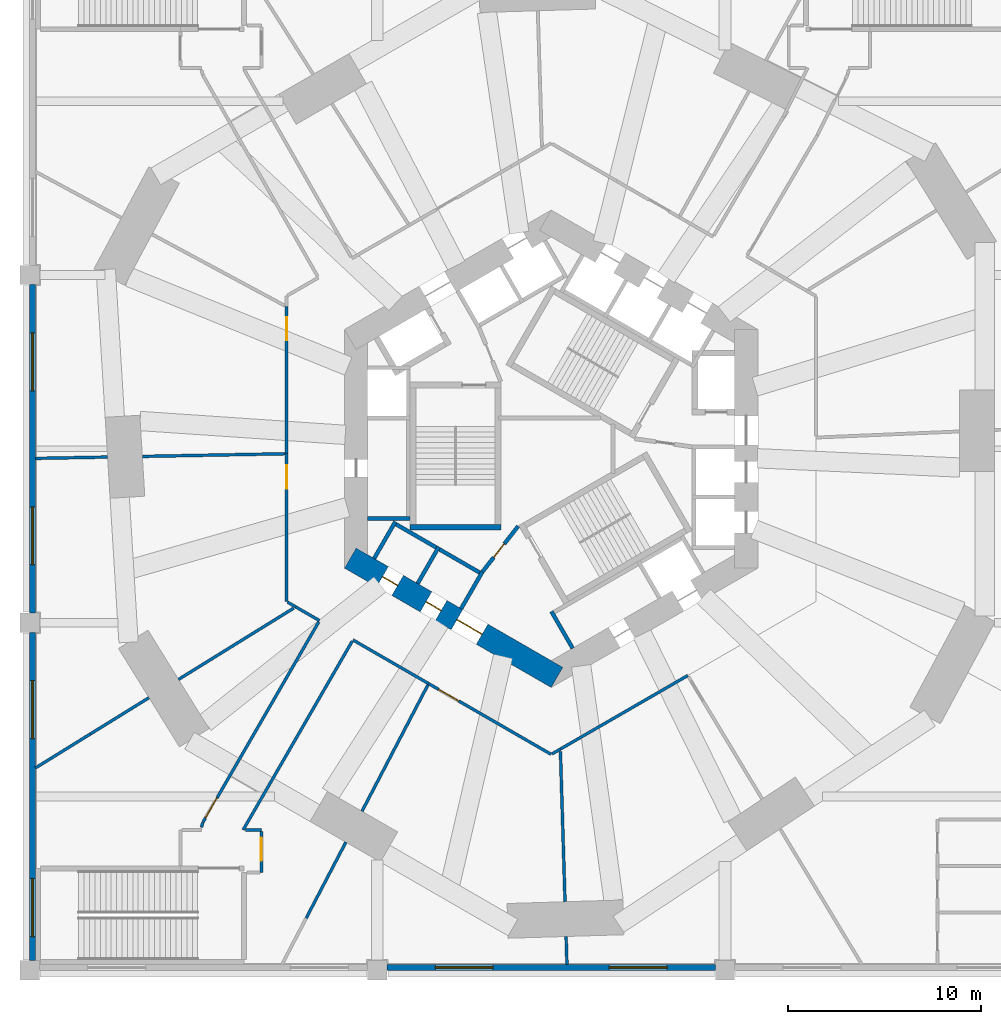
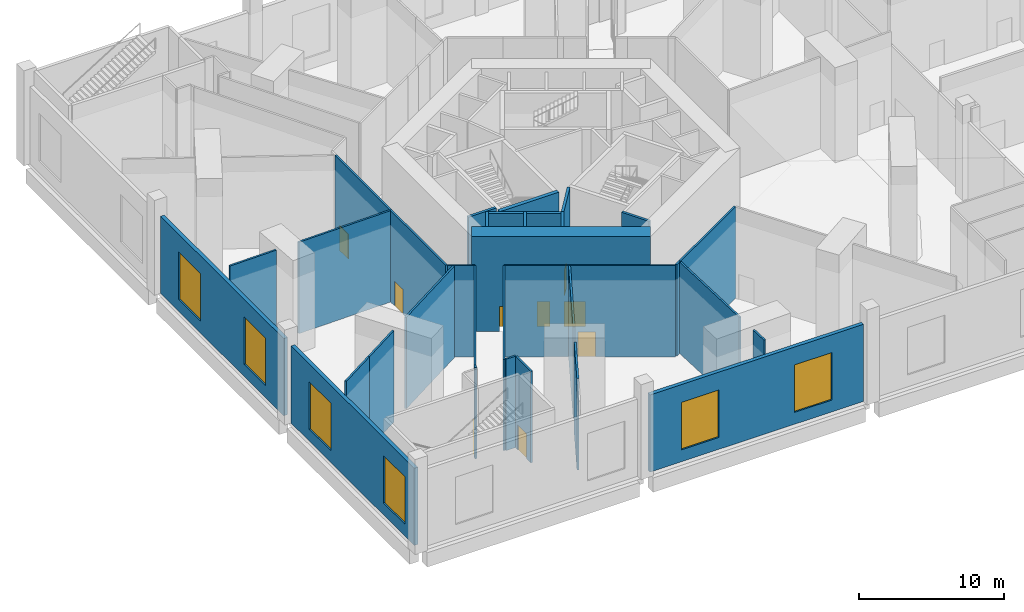
# One storey, part 6 of 15: 34 walls, 9 doors, 6 windows, 15 openings.
"""IFC4 building model written with IfcOpenShell, lengths in metres."""

from ifc_helpers import new_model, si_unit, direction, frame, frame_2d, origin, place, context, subcontext, project, spatial, rectangle, extrude, material, layer, layer_set, type_object, element, fill, save


model = new_model("IFC4")

# Units and contexts
model_context = context("Model", 3, precision=1e-05, world=origin(), true_north=direction((0.0, 1.0)))
body_context = subcontext(model_context, "Body", "Model", "MODEL_VIEW")
ifc_project = project(units=[si_unit("LENGTHUNIT", "METRE"), si_unit("AREAUNIT", "SQUARE_METRE"), si_unit("VOLUMEUNIT", "CUBIC_METRE"), si_unit("PLANEANGLEUNIT", "RADIAN"), si_unit("MASSUNIT", "GRAM", prefix="KILO")], contexts=[model_context])

# Site, building, storey
site_placement = place(None, origin())
site = spatial("IfcSite", under=ifc_project, at=site_placement, CompositionType="ELEMENT")
building_placement = place(site_placement, origin())
building = spatial("IfcBuilding", under=site, at=building_placement, Name="Vanh Sen Convention Tower", CompositionType="ELEMENT")
storey_placement = place(building_placement, frame((0.0, 0.0, 13.0)))
storey = spatial("IfcBuildingStorey", under=building, at=storey_placement, Name="L02", CompositionType="ELEMENT", Elevation=13.0)

# Wall, openings, doors
ifc_material_1 = material(Name="Concrete C80/95", Category="concrete")
ifc_layer_1 = layer(ifc_material_1, 1.199951171875)
ifc_layer_set_1 = layer_set([ifc_layer_1], Name="Concrete C80/95")
wall_type_1 = type_object("IfcWallType", Name="Core outer wall 1200 C80/95", PredefinedType="SHEAR", material=ifc_layer_set_1)
wall_1_placement = place(storey_placement, frame((-10.39990234375, -5.657958984375, 0.0), z_axis=(0.0, 0.0, 1.0), x_axis=(0.866021384402, -0.500006961711, 0.0)))
wall_1 = element("IfcWall", 1, at=wall_1_placement, inside=storey, type_object=wall_type_1, Name="Core wall face SW L02", PredefinedType="SHEAR", context=body_context, shape_type="SweptSolid", body=[
    extrude(rectangle(XDim=12.355224609375, YDim=1.199951171875, at=frame_2d((6.177734375, 0.0))), origin(), (0.0, 0.0, 1.0), 8.0),
])
opening_1_placement = place(wall_1_placement, frame((6.377685546875, 0.0, 0.0)))
opening_1 = element("IfcOpeningElement", 2, at=opening_1_placement, cuts=wall_1, Name="Opening D02003", PredefinedType="OPENING", context=body_context, shape_type="SweptSolid", body=[
    extrude(rectangle(XDim=1.5, YDim=2.10009765625, at=frame_2d((0.75, 1.050048828125))), frame((0.0, 0.60986328125, 0.0), z_axis=(0.0, -1.0, 0.0), x_axis=(1.0, 0.0, 0.0)), (0.0, 0.0, 1.0), 1.219970703125),
])
opening_2_placement = place(wall_1_placement, frame((1.927734375, 0.0, 0.0)))
opening_2 = element("IfcOpeningElement", 3, at=opening_2_placement, cuts=wall_1, Name="Opening D02011", PredefinedType="OPENING", context=body_context, shape_type="SweptSolid", body=[
    extrude(rectangle(XDim=0.89990234375, YDim=2.10009765625, at=frame_2d((0.449951171875, 1.050048828125))), frame((0.0, 0.60986328125, 0.0), z_axis=(0.0, -1.0, 0.0), x_axis=(1.0, 0.0, 0.0)), (0.0, 0.0, 1.0), 1.219970703125),
])
opening_3_placement = place(wall_1_placement, frame((4.527587890625, 0.0, 0.0)))
opening_3 = element("IfcOpeningElement", 4, at=opening_3_placement, cuts=wall_1, Name="Opening D02012", PredefinedType="OPENING", context=body_context, shape_type="SweptSolid", body=[
    extrude(rectangle(XDim=0.89990234375, YDim=2.10009765625, at=frame_2d((0.449951171875, 1.050048828125))), frame((0.0, 0.60986328125, 0.0), z_axis=(0.0, -1.0, 0.0), x_axis=(1.0, 0.0, 0.0)), (0.0, 0.0, 1.0), 1.219970703125),
])
ifc_material_2 = material(Name="Steel S355", Category="steel")
door_type_1 = type_object("IfcDoorType", Name="Plant door 900", OperationType="SINGLE_SWING_LEFT", PredefinedType="DOOR", material=ifc_material_2)
door_1_placement = place(opening_2_placement, origin())
door_1 = element("IfcDoor", 5, at=door_1_placement, inside=storey, type_object=door_type_1, Name="Plant door D02011", OperationType="SINGLE_SWING_LEFT", OverallHeight=2.10009765625, OverallWidth=0.89990234375, PredefinedType="DOOR", context=body_context, shape_type="SweptSolid", body=[
    extrude(rectangle(XDim=0.89990234375, YDim=2.10009765625, at=frame_2d((0.449951171875, 1.050048828125))), frame((0.0, 0.02490234375, 0.0), z_axis=(0.0, -1.0, 0.0), x_axis=(1.0, 0.0, 0.0)), (0.0, 0.0, 1.0), 0.050048828125),
])
fill(opening_2, door_1)
door_2_placement = place(opening_3_placement, origin())
door_2 = element("IfcDoor", 6, at=door_2_placement, inside=storey, type_object=door_type_1, Name="Plant door D02012", OperationType="SINGLE_SWING_LEFT", OverallHeight=2.10009765625, OverallWidth=0.89990234375, PredefinedType="DOOR", context=body_context, shape_type="SweptSolid", body=[
    extrude(rectangle(XDim=0.89990234375, YDim=2.10009765625, at=frame_2d((0.449951171875, 1.050048828125))), frame((0.0, 0.02490234375, 0.0), z_axis=(0.0, -1.0, 0.0), x_axis=(1.0, 0.0, 0.0)), (0.0, 0.0, 1.0), 0.050048828125),
])
fill(opening_3, door_2)
door_type_2 = type_object("IfcDoorType", Name="Stair lobby door 1500", OperationType="DOUBLE_DOOR_SINGLE_SWING", PredefinedType="DOOR", material=ifc_material_2)
door_3_placement = place(opening_1_placement, origin())
door_3 = element("IfcDoor", 7, at=door_3_placement, inside=storey, type_object=door_type_2, Name="Stair lobby door D02003", OperationType="DOUBLE_DOOR_SINGLE_SWING", OverallHeight=2.10009765625, OverallWidth=1.5, PredefinedType="DOOR", context=body_context, shape_type="SweptSolid", body=[
    extrude(rectangle(XDim=1.5, YDim=2.10009765625, at=frame_2d((0.75, 1.050048828125))), frame((0.0, 0.02490234375, 0.0), z_axis=(0.0, -1.0, 0.0), x_axis=(1.0, 0.0, 0.0)), (0.0, 0.0, 1.0), 0.050048828125),
])
fill(opening_1, door_3)

# Walls
ifc_material_3 = material(Name="Concrete C40/50", Category="concrete")
ifc_layer_2 = layer(ifc_material_3, 0.199951171875)
ifc_layer_set_2 = layer_set([ifc_layer_2], Name="Concrete C40/50")
wall_type_2 = type_object("IfcWallType", Name="Lift shaft wall 200", PredefinedType="PARTITIONING", material=ifc_layer_set_2)
wall_2_placement = place(storey_placement, frame((-7.300048828125, -3.60009765625, 0.0), z_axis=(0.0, 0.0, 1.0), x_axis=(-1.0, 0.0, 0.0)))
element("IfcWall", 8, at=wall_2_placement, inside=storey, type_object=wall_type_2, Name="Lift shaft wall L02", PredefinedType="PARTITIONING", context=body_context, shape_type="SweptSolid", body=[
    extrude(rectangle(XDim=2.199951171875, YDim=0.199951171875, at=frame_2d((1.10009765625, 0.0))), origin(), (0.0, 0.0, 1.0), 7.699951171875),
])
wall_3_placement = place(storey_placement, frame((-8.203369140625, -3.80859375, 0.0), z_axis=(0.0, 0.0, 1.0), x_axis=(0.866028230842, -0.499995103361, 0.0)))
element("IfcWall", 9, at=wall_3_placement, inside=storey, type_object=wall_type_2, Name="Lift shaft wall L02", PredefinedType="PARTITIONING", context=body_context, shape_type="SweptSolid", body=[
    extrude(rectangle(XDim=5.39990234375, YDim=0.199951171875, at=frame_2d((2.699951171875, 0.0))), origin(), (0.0, 0.0, 1.0), 7.699951171875),
])
for number, where, z_axis, x_axis, name in (
    (10, (-8.066650390625, -3.77197265625, 0.0), (0.0, 0.0, 1.0), (-0.50002983664, -0.866008176907, 0.0), "Lift shaft wall L02"),
    (11, (-5.815185546875, -5.072021484375, 0.0), (0.0, 0.0, 1.0), (-0.499946605688, -0.86605622881, 0.0), "Lift shaft wall L02"),
):
    element("IfcWall", number, at=place(storey_placement, frame(where, z_axis=z_axis, x_axis=x_axis)), inside=storey, type_object=wall_type_2, Name=name, PredefinedType="PARTITIONING", context=body_context, shape_type="SweptSolid", body=[
        extrude(rectangle(XDim=2.199951171875, YDim=0.199951171875, at=frame_2d((1.10009765625, 0.0))), origin(), (0.0, 0.0, 1.0), 7.699951171875),
    ])
wall_4_placement = place(storey_placement, frame((-3.5634765625, -6.3720703125, 0.0), z_axis=(0.0, 0.0, 1.0), x_axis=(-0.499994660107, -0.866028486751, 0.0)))
element("IfcWall", 12, at=wall_4_placement, inside=storey, type_object=wall_type_2, Name="Lift shaft wall L02", PredefinedType="PARTITIONING", context=body_context, shape_type="SweptSolid", body=[
    extrude(rectangle(XDim=2.19970703125, YDim=0.199951171875, at=frame_2d((1.099853515625, 0.0))), origin(), (0.0, 0.0, 1.0), 7.699951171875),
])
wall_5_placement = place(storey_placement, frame((0.0126953125, -8.422119140625, 0.0), z_axis=(0.0, 0.0, 1.0), x_axis=(0.500077893725, -0.86598042715, 0.0)))
element("IfcWall", 13, at=wall_5_placement, inside=storey, type_object=wall_type_2, Name="Lift shaft wall L02", PredefinedType="PARTITIONING", context=body_context, shape_type="SweptSolid", body=[
    extrude(rectangle(XDim=2.199951171875, YDim=0.199951171875, at=frame_2d((1.10009765625, 0.0))), origin(), (0.0, 0.0, 1.0), 7.699951171875),
])
ifc_material_4 = material(Name="Acoustic operable panels on an overhead track", Category="gypsum")
ifc_layer_3 = layer(ifc_material_4, 0.14990234375)
ifc_layer_set_3 = layer_set([ifc_layer_3], Name="Acoustic operable panels on an overhead track")
wall_type_3 = type_object("IfcWallType", Name="Operable partition 150 EI 60", PredefinedType="MOVABLE", material=ifc_layer_set_3)
wall_6_placement = place(storey_placement, frame((0.478759765625, -15.6650390625, 0.0), z_axis=(0.0, 0.0, 1.0), x_axis=(0.030535907252, -0.999533670453, 0.0)))
element("IfcWall", 14, at=wall_6_placement, inside=storey, type_object=wall_type_3, Name="Operable partition L02-030", PredefinedType="MOVABLE", context=body_context, shape_type="SweptSolid", body=[
    extrude(rectangle(XDim=7.787353515625, YDim=0.14990234375, at=frame_2d((3.8935546875, 0.0))), origin(), (0.0, 0.0, 1.0), 7.699951171875),
])
ifc_material_5 = material(Name="Gypsum board on steel studs", Category="steel")
ifc_layer_4 = layer(ifc_material_5, 0.14990234375)
ifc_layer_set_4 = layer_set([ifc_layer_4], Name="Gypsum board on steel studs")
wall_type_4 = type_object("IfcWallType", Name="Partition 150 EI 60", PredefinedType="PARTITIONING", material=ifc_layer_set_4)
wall_7_placement = place(storey_placement, frame((0.771484375, -25.247802734375, 0.0), z_axis=(0.0, 0.0, 1.0), x_axis=(0.030584206332, -0.99953219374, 0.0)))
element("IfcWall", 15, at=wall_7_placement, inside=storey, type_object=wall_type_4, Name="Partition L02-004", PredefinedType="PARTITIONING", context=body_context, shape_type="SweptSolid", body=[
    extrude(rectangle(XDim=1.452880859375, YDim=0.14990234375, at=frame_2d((0.7265625, 0.0))), origin(), (0.0, 0.0, 1.0), 7.699951171875),
])
wall_8_placement = place(storey_placement, frame((-12.685546875, -24.300048828125, 0.0), z_axis=(0.0, 0.0, 1.0), x_axis=(0.462800821993, 0.88646229427, 0.0)))
element("IfcWall", 16, at=wall_8_placement, inside=storey, type_object=wall_type_4, Name="Partition L02-006", PredefinedType="PARTITIONING", context=body_context, shape_type="SweptSolid", body=[
    extrude(rectangle(XDim=4.441162109375, YDim=0.14990234375, at=frame_2d((2.220703125, 0.0))), origin(), (0.0, 0.0, 1.0), 7.699951171875),
])

# Wall, opening, door
wall_9_placement = place(storey_placement, frame((-15.0, -19.804931640625, 0.0), z_axis=(0.0, 0.0, 1.0), x_axis=(0.0, -1.0, 0.0)))
wall_9 = element("IfcWall", 17, at=wall_9_placement, inside=storey, type_object=wall_type_4, Name="Partition L02-019", PredefinedType="PARTITIONING", context=body_context, shape_type="SweptSolid", body=[
    extrude(rectangle(XDim=2.1201171875, YDim=0.14990234375, at=frame_2d((1.06005859375, 0.0))), origin(), (0.0, 0.0, 1.0), 7.699951171875),
])
opening_4_placement = place(wall_9_placement, frame((0.320068359375, 0.0, 0.0)))
opening_4 = element("IfcOpeningElement", 18, at=opening_4_placement, cuts=wall_9, Name="Opening D02106", PredefinedType="OPENING", context=body_context, shape_type="SweptSolid", body=[
    extrude(rectangle(XDim=1.199951171875, YDim=2.10009765625, at=frame_2d((0.60009765625, 1.050048828125))), frame((0.0, 0.0849609375, 0.0), z_axis=(0.0, -1.0, 0.0), x_axis=(1.0, 0.0, 0.0)), (0.0, 0.0, 1.0), 0.169921875),
])
ifc_material_6 = material(Name="Timber door in steel frame", Category="steel")
door_type_3 = type_object("IfcDoorType", Name="Room door 1200 EI 30", OperationType="SINGLE_SWING_LEFT", PredefinedType="DOOR", material=ifc_material_6)
door_4_placement = place(opening_4_placement, origin())
door_4 = element("IfcDoor", 19, at=door_4_placement, inside=storey, type_object=door_type_3, Name="Room door D02106", OperationType="SINGLE_SWING_LEFT", OverallHeight=2.10009765625, OverallWidth=1.199951171875, PredefinedType="DOOR", context=body_context, shape_type="SweptSolid", body=[
    extrude(rectangle(XDim=1.199951171875, YDim=2.10009765625, at=frame_2d((0.60009765625, 1.050048828125))), frame((0.0, 0.02490234375, 0.0), z_axis=(0.0, -1.0, 0.0), x_axis=(1.0, 0.0, 0.0)), (0.0, 0.0, 1.0), 0.050048828125),
])
fill(opening_4, door_4)

# Walls
wall_10_placement = place(storey_placement, frame((-15.824951171875, -19.72509765625, 0.0), z_axis=(0.0, 0.0, 1.0), x_axis=(1.0, 0.0, 0.0)))
element("IfcWall", 20, at=wall_10_placement, inside=storey, type_object=wall_type_4, Name="Partition L02-021", PredefinedType="PARTITIONING", context=body_context, shape_type="SweptSolid", body=[
    extrude(rectangle(XDim=0.824951171875, YDim=0.14990234375, at=frame_2d((0.41259765625, 0.0))), origin(), (0.0, 0.0, 1.0), 7.699951171875),
])
wall_11_placement = place(storey_placement, frame((-18.10009765625, -19.593017578125, 0.0), z_axis=(0.0, 0.0, 1.0), x_axis=(0.260139468531, 0.965571052234, 0.0)))
element("IfcWall", 21, at=wall_11_placement, inside=storey, type_object=wall_type_4, Name="Partition L02-023", PredefinedType="PARTITIONING", context=body_context, shape_type="SweptSolid", body=[
    extrude(rectangle(XDim=0.263671875, YDim=0.14990234375, at=frame_2d((0.1318359375, 0.0))), origin(), (0.0, 0.0, 1.0), 7.699951171875),
])

# Wall, opening, door
wall_12_placement = place(storey_placement, frame((-18.021484375, -19.3212890625, 0.0), z_axis=(0.0, 0.0, 1.0), x_axis=(0.500403049961, 0.865792577694, 0.0)))
wall_12 = element("IfcWall", 22, at=wall_12_placement, inside=storey, type_object=wall_type_4, Name="Partition L02-024", PredefinedType="PARTITIONING", context=body_context, shape_type="SweptSolid", body=[
    extrude(rectangle(XDim=11.96337890625, YDim=0.14990234375, at=frame_2d((5.981689453125, 0.0))), origin(), (0.0, 0.0, 1.0), 7.699951171875),
])
opening_5_placement = place(wall_12_placement, frame((0.25, 0.0, 0.0)))
opening_5 = element("IfcOpeningElement", 23, at=opening_5_placement, cuts=wall_12, Name="Opening D02107", PredefinedType="OPENING", context=body_context, shape_type="SweptSolid", body=[
    extrude(rectangle(XDim=1.199951171875, YDim=2.10009765625, at=frame_2d((0.60009765625, 1.050048828125))), frame((0.0, 0.0849609375, 0.0), z_axis=(0.0, -1.0, 0.0), x_axis=(1.0, 0.0, 0.0)), (0.0, 0.0, 1.0), 0.169921875),
])
door_5_placement = place(opening_5_placement, origin())
door_5 = element("IfcDoor", 24, at=door_5_placement, inside=storey, type_object=door_type_3, Name="Room door D02107", OperationType="SINGLE_SWING_LEFT", OverallHeight=2.10009765625, OverallWidth=1.199951171875, PredefinedType="DOOR", context=body_context, shape_type="SweptSolid", body=[
    extrude(rectangle(XDim=1.199951171875, YDim=2.10009765625, at=frame_2d((0.60009765625, 1.050048828125))), frame((0.0, 0.02490234375, 0.0), z_axis=(0.0, -1.0, 0.0), x_axis=(1.0, 0.0, 0.0)), (0.0, 0.0, 1.0), 0.050048828125),
])
fill(opening_5, door_5)

# Wall
wall_13_placement = place(storey_placement, frame((-9.79638671875, -18.765869140625, 0.0), z_axis=(0.0, 0.0, 1.0), x_axis=(0.462793341808, 0.886466199456, 0.0)))
element("IfcWall", 25, at=wall_13_placement, inside=storey, type_object=wall_type_4, Name="Partition L02-027", PredefinedType="PARTITIONING", context=body_context, shape_type="SweptSolid", body=[
    extrude(rectangle(XDim=7.37646484375, YDim=0.14990234375, at=frame_2d((3.688232421875, 0.0))), origin(), (0.0, 0.0, 1.0), 7.699951171875),
])

# Wall, opening, door
wall_14_placement = place(storey_placement, frame((0.0, -15.819580078125, 0.0), z_axis=(0.0, 0.0, 1.0), x_axis=(-0.866018019704, 0.500012789385, 0.0)))
wall_14 = element("IfcWall", 26, at=wall_14_placement, inside=storey, type_object=wall_type_4, Name="Partition L02-029", PredefinedType="PARTITIONING", context=body_context, shape_type="SweptSolid", body=[
    extrude(rectangle(XDim=7.327392578125, YDim=0.14990234375, at=frame_2d((3.66357421875, 0.0))), origin(), (0.0, 0.0, 1.0), 7.699951171875),
])
opening_6_placement = place(wall_14_placement, frame((5.52734375, 0.0, 0.0)))
opening_6 = element("IfcOpeningElement", 27, at=opening_6_placement, cuts=wall_14, Name="Opening D02109", PredefinedType="OPENING", context=body_context, shape_type="SweptSolid", body=[
    extrude(rectangle(XDim=1.199951171875, YDim=2.10009765625, at=frame_2d((0.60009765625, 1.050048828125))), frame((0.0, 0.0849609375, 0.0), z_axis=(0.0, -1.0, 0.0), x_axis=(1.0, 0.0, 0.0)), (0.0, 0.0, 1.0), 0.169921875),
])
door_6_placement = place(opening_6_placement, origin())
door_6 = element("IfcDoor", 28, at=door_6_placement, inside=storey, type_object=door_type_3, Name="Room door D02109", OperationType="SINGLE_SWING_LEFT", OverallHeight=2.10009765625, OverallWidth=1.199951171875, PredefinedType="DOOR", context=body_context, shape_type="SweptSolid", body=[
    extrude(rectangle(XDim=1.199951171875, YDim=2.10009765625, at=frame_2d((0.60009765625, 1.050048828125))), frame((0.0, 0.02490234375, 0.0), z_axis=(0.0, -1.0, 0.0), x_axis=(1.0, 0.0, 0.0)), (0.0, 0.0, 1.0), 0.050048828125),
])
fill(opening_6, door_6)

# Walls
wall_15_placement = place(storey_placement, frame((0.474853515625, -15.545166015625, 0.0), z_axis=(0.0, 0.0, 1.0), x_axis=(0.866021168401, 0.500007335828, 0.0)))
element("IfcWall", 29, at=wall_15_placement, inside=storey, type_object=wall_type_4, Name="Partition L02-031", PredefinedType="PARTITIONING", context=body_context, shape_type="SweptSolid", body=[
    extrude(rectangle(XDim=7.6162109375, YDim=0.14990234375, at=frame_2d((3.80810546875, 0.0))), origin(), (0.0, 0.0, 1.0), 7.699951171875),
])
wall_16_placement = place(storey_placement, frame((0.47509765625, -15.545166015625, 0.0), z_axis=(0.0, 0.0, 1.0), x_axis=(-0.865927594567, -0.50016937228, 0.0)))
element("IfcWall", 30, at=wall_16_placement, inside=storey, type_object=wall_type_4, Name="Partition L02-032", PredefinedType="PARTITIONING", context=body_context, shape_type="SweptSolid", body=[
    extrude(rectangle(XDim=0.488525390625, YDim=0.14990234375, at=frame_2d((0.244140625, 0.0))), origin(), (0.0, 0.0, 1.0), 7.699951171875),
])
wall_17_placement = place(storey_placement, frame((-23.843017578125, -14.75439453125, 0.0), z_axis=(0.0, 0.0, 1.0), x_axis=(-0.850333278488, -0.526244539635, 0.0)))
element("IfcWall", 31, at=wall_17_placement, inside=storey, type_object=wall_type_4, Name="Partition L02-033", PredefinedType="PARTITIONING", context=body_context, shape_type="SweptSolid", body=[
    extrude(rectangle(XDim=3.35986328125, YDim=0.14990234375, at=frame_2d((1.679931640625, 0.0))), origin(), (0.0, 0.0, 1.0), 7.699951171875),
])
wall_18_placement = place(storey_placement, frame((-23.843017578125, -14.75439453125, 0.0), z_axis=(0.0, 0.0, 1.0), x_axis=(0.850369165181, 0.526186547633, 0.0)))
element("IfcWall", 32, at=wall_18_placement, inside=storey, type_object=wall_type_4, Name="Partition L02-034", PredefinedType="PARTITIONING", context=body_context, shape_type="SweptSolid", body=[
    extrude(rectangle(XDim=3.55078125, YDim=0.14990234375, at=frame_2d((1.775390625, 0.0))), origin(), (0.0, 0.0, 1.0), 7.699951171875),
])
wall_19_placement = place(storey_placement, frame((-6.345703125, -12.15576171875, 0.0), z_axis=(0.0, 0.0, 1.0), x_axis=(-0.866015706063, 0.50001679657, 0.0)))
element("IfcWall", 33, at=wall_19_placement, inside=storey, type_object=wall_type_4, Name="Partition L02-036", PredefinedType="PARTITIONING", context=body_context, shape_type="SweptSolid", body=[
    extrude(rectangle(XDim=4.523193359375, YDim=0.14990234375, at=frame_2d((2.26171875, 0.0))), origin(), (0.0, 0.0, 1.0), 7.699951171875),
])
wall_20_placement = place(storey_placement, frame((-19.29296875, -11.93896484375, 0.0), z_axis=(0.0, 0.0, 1.0), x_axis=(0.85034374829, 0.526227621609, 0.0)))
element("IfcWall", 34, at=wall_20_placement, inside=storey, type_object=wall_type_4, Name="Partition L02-037", PredefinedType="PARTITIONING", context=body_context, shape_type="SweptSolid", body=[
    extrude(rectangle(XDim=7.015869140625, YDim=0.14990234375, at=frame_2d((3.5078125, 0.0))), origin(), (0.0, 0.0, 1.0), 7.699951171875),
])
wall_21_placement = place(storey_placement, frame((-10.302978515625, -9.96337890625, 0.0), z_axis=(0.0, 0.0, 1.0), x_axis=(-0.500409628778, -0.865788775295, 0.0)))
element("IfcWall", 35, at=wall_21_placement, inside=storey, type_object=wall_type_4, Name="Partition L02-038", PredefinedType="PARTITIONING", context=body_context, shape_type="SweptSolid", body=[
    extrude(rectangle(XDim=11.27490234375, YDim=0.14990234375, at=frame_2d((5.637451171875, 0.0))), origin(), (0.0, 0.0, 1.0), 7.699951171875),
])
wall_22_placement = place(storey_placement, frame((-11.9951171875, -8.89404296875, 0.0), z_axis=(0.0, 0.0, 1.0), x_axis=(-0.866076810767, 0.499910949922, 0.0)))
element("IfcWall", 36, at=wall_22_placement, inside=storey, type_object=wall_type_4, Name="Partition L02-041", PredefinedType="PARTITIONING", context=body_context, shape_type="SweptSolid", body=[
    extrude(rectangle(XDim=1.420166015625, YDim=0.14990234375, at=frame_2d((0.7099609375, 0.0))), origin(), (0.0, 0.0, 1.0), 7.699951171875),
])
wall_23_placement = place(storey_placement, frame((-13.64794921875, -7.939453125, 0.0), z_axis=(0.0, 0.0, 1.0), x_axis=(0.865585916185, -0.500760443428, 0.0)))
element("IfcWall", 37, at=wall_23_placement, inside=storey, type_object=wall_type_4, Name="Partition L02-044", PredefinedType="PARTITIONING", context=body_context, shape_type="SweptSolid", body=[
    extrude(rectangle(XDim=0.488525390625, YDim=0.14990234375, at=frame_2d((0.244140625, 0.0))), origin(), (0.0, 0.0, 1.0), 7.699951171875),
])

# Wall, opening, door
wall_24_placement = place(storey_placement, frame((-13.699951171875, -7.909423828125, 0.0), z_axis=(0.0, 0.0, 1.0), x_axis=(0.0, 1.0, 0.0)))
wall_24 = element("IfcWall", 38, at=wall_24_placement, inside=storey, type_object=wall_type_4, Name="Partition L02-045", PredefinedType="PARTITIONING", context=body_context, shape_type="SweptSolid", body=[
    extrude(rectangle(XDim=7.654541015625, YDim=0.14990234375, at=frame_2d((3.8271484375, 0.0))), origin(), (0.0, 0.0, 1.0), 7.699951171875),
])
opening_7_placement = place(wall_24_placement, frame((5.8544921875, 0.0, 0.0)))
opening_7 = element("IfcOpeningElement", 39, at=opening_7_placement, cuts=wall_24, Name="Opening D02110", PredefinedType="OPENING", context=body_context, shape_type="SweptSolid", body=[
    extrude(rectangle(XDim=1.199951171875, YDim=2.10009765625, at=frame_2d((0.60009765625, 1.050048828125))), frame((0.0, 0.0849609375, 0.0), z_axis=(0.0, -1.0, 0.0), x_axis=(1.0, 0.0, 0.0)), (0.0, 0.0, 1.0), 0.169921875),
])
door_7_placement = place(opening_7_placement, origin())
door_7 = element("IfcDoor", 40, at=door_7_placement, inside=storey, type_object=door_type_3, Name="Room door D02110", OperationType="SINGLE_SWING_LEFT", OverallHeight=2.10009765625, OverallWidth=1.199951171875, PredefinedType="DOOR", context=body_context, shape_type="SweptSolid", body=[
    extrude(rectangle(XDim=1.199951171875, YDim=2.10009765625, at=frame_2d((0.60009765625, 1.050048828125))), frame((0.0, 0.02490234375, 0.0), z_axis=(0.0, -1.0, 0.0), x_axis=(1.0, 0.0, 0.0)), (0.0, 0.0, 1.0), 0.050048828125),
])
fill(opening_7, door_7)

# Walls
wall_25_placement = place(storey_placement, frame((-22.966552734375, -0.427490234375, 0.0), z_axis=(0.0, 0.0, 1.0), x_axis=(-0.999826372694, -0.018633959993, 0.0)))
element("IfcWall", 41, at=wall_25_placement, inside=storey, type_object=wall_type_4, Name="Partition L02-050", PredefinedType="PARTITIONING", context=body_context, shape_type="SweptSolid", body=[
    extrude(rectangle(XDim=3.734130859375, YDim=0.14990234375, at=frame_2d((1.8671875, 0.0))), origin(), (0.0, 0.0, 1.0), 7.699951171875),
])
wall_26_placement = place(storey_placement, frame((-13.780029296875, -0.256591796875, 0.0), z_axis=(0.0, 0.0, 1.0), x_axis=(-0.999826849708, -0.018608347649, 0.0)))
element("IfcWall", 42, at=wall_26_placement, inside=storey, type_object=wall_type_4, Name="Partition L02-051", PredefinedType="PARTITIONING", context=body_context, shape_type="SweptSolid", body=[
    extrude(rectangle(XDim=7.386474609375, YDim=0.14990234375, at=frame_2d((3.693359375, 0.0))), origin(), (0.0, 0.0, 1.0), 7.699951171875),
])

# Wall, opening, door
wall_27_placement = place(storey_placement, frame((-13.699951171875, -0.2548828125, 0.0), z_axis=(0.0, 0.0, 1.0), x_axis=(0.0, 1.0, 0.0)))
wall_27 = element("IfcWall", 43, at=wall_27_placement, inside=storey, type_object=wall_type_4, Name="Partition L02-052", PredefinedType="PARTITIONING", context=body_context, shape_type="SweptSolid", body=[
    extrude(rectangle(XDim=7.616455078125, YDim=0.14990234375, at=frame_2d((3.80810546875, 0.0))), origin(), (0.0, 0.0, 1.0), 7.699951171875),
])
opening_8_placement = place(wall_27_placement, frame((5.866455078125, 0.0, 0.0)))
opening_8 = element("IfcOpeningElement", 44, at=opening_8_placement, cuts=wall_27, Name="Opening D02115", PredefinedType="OPENING", context=body_context, shape_type="SweptSolid", body=[
    extrude(rectangle(XDim=1.199951171875, YDim=2.10009765625, at=frame_2d((0.60009765625, 1.050048828125))), frame((0.0, 0.0849609375, 0.0), z_axis=(0.0, -1.0, 0.0), x_axis=(1.0, 0.0, 0.0)), (0.0, 0.0, 1.0), 0.169921875),
])
door_8_placement = place(opening_8_placement, origin())
door_8 = element("IfcDoor", 45, at=door_8_placement, inside=storey, type_object=door_type_3, Name="Room door D02115", OperationType="SINGLE_SWING_LEFT", OverallHeight=2.10009765625, OverallWidth=1.199951171875, PredefinedType="DOOR", context=body_context, shape_type="SweptSolid", body=[
    extrude(rectangle(XDim=1.199951171875, YDim=2.10009765625, at=frame_2d((0.60009765625, 1.050048828125))), frame((0.0, 0.02490234375, 0.0), z_axis=(0.0, -1.0, 0.0), x_axis=(1.0, 0.0, 0.0)), (0.0, 0.0, 1.0), 0.050048828125),
])
fill(opening_8, door_8)

# Wall, openings, windows
ifc_material_7 = material(Name="Concrete C50/60", Category="concrete")
ifc_layer_5 = layer(ifc_material_7, 0.300048828125)
ifc_layer_set_5 = layer_set([ifc_layer_5], Name="Concrete C50/60")
wall_type_5 = type_object("IfcWallType", Name="Podium wall 300", PredefinedType="STANDARD", material=ifc_layer_set_5)
wall_28_placement = place(storey_placement, frame((-8.5, -26.85009765625, 0.0), z_axis=(0.0, 0.0, 1.0), x_axis=(1.0, 0.0, 0.0)))
wall_28 = element("IfcWall", 46, at=wall_28_placement, inside=storey, type_object=wall_type_5, Name="Podium wall S2 L02", PredefinedType="STANDARD", context=body_context, shape_type="SweptSolid", body=[
    extrude(rectangle(XDim=17.0, YDim=0.300048828125, at=frame_2d((8.5, 0.0))), origin(), (0.0, 0.0, 1.0), 6.5),
])
opening_9_placement = place(wall_28_placement, frame((2.5, 0.0, 1.0)))
opening_9 = element("IfcOpeningElement", 47, at=opening_9_placement, cuts=wall_28, Name="Opening WP3-S3", PredefinedType="OPENING", context=body_context, shape_type="SweptSolid", body=[
    extrude(rectangle(XDim=3.0, YDim=4.0, at=frame_2d((1.5, 2.0))), frame((0.0, 0.159912109375, 0.0), z_axis=(0.0, -1.0, 0.0), x_axis=(1.0, 0.0, 0.0)), (0.0, 0.0, 1.0), 0.320068359375),
])
opening_10_placement = place(wall_28_placement, frame((11.5, 0.0, 1.0)))
opening_10 = element("IfcOpeningElement", 48, at=opening_10_placement, cuts=wall_28, Name="Opening WP3-S4", PredefinedType="OPENING", context=body_context, shape_type="SweptSolid", body=[
    extrude(rectangle(XDim=3.0, YDim=4.0, at=frame_2d((1.5, 2.0))), frame((0.0, 0.159912109375, 0.0), z_axis=(0.0, -1.0, 0.0), x_axis=(1.0, 0.0, 0.0)), (0.0, 0.0, 1.0), 0.320068359375),
])
ifc_material_8 = material(Name="Aluminium frame with clear low-emissivity glass", Category="aluminium")
window_type = type_object("IfcWindowType", Name="Podium window 3000 x 4000", PartitioningType="SINGLE_PANEL", PredefinedType="WINDOW", material=ifc_material_8)
window_1_placement = place(opening_9_placement, origin())
window_1 = element("IfcWindow", 49, at=window_1_placement, inside=storey, type_object=window_type, Name="Window WP3-S3", OverallHeight=4.0, OverallWidth=3.0, PartitioningType="SINGLE_PANEL", PredefinedType="WINDOW", context=body_context, shape_type="SweptSolid", body=[
    extrude(rectangle(XDim=3.0, YDim=4.0, at=frame_2d((1.5, 2.0))), frame((0.0, 0.030029296875, 0.0), z_axis=(0.0, -1.0, 0.0), x_axis=(1.0, 0.0, 0.0)), (0.0, 0.0, 1.0), 0.06005859375),
])
fill(opening_9, window_1)
window_2_placement = place(opening_10_placement, origin())
window_2 = element("IfcWindow", 50, at=window_2_placement, inside=storey, type_object=window_type, Name="Window WP3-S4", OverallHeight=4.0, OverallWidth=3.0, PartitioningType="SINGLE_PANEL", PredefinedType="WINDOW", context=body_context, shape_type="SweptSolid", body=[
    extrude(rectangle(XDim=3.0, YDim=4.0, at=frame_2d((1.5, 2.0))), frame((0.0, 0.030029296875, 0.0), z_axis=(0.0, -1.0, 0.0), x_axis=(1.0, 0.0, 0.0)), (0.0, 0.0, 1.0), 0.06005859375),
])
fill(opening_10, window_2)

wall_29_placement = place(storey_placement, frame((-26.85009765625, 8.5, 0.0), z_axis=(0.0, 0.0, 1.0), x_axis=(0.0, -1.0, 0.0)))
wall_29 = element("IfcWall", 51, at=wall_29_placement, inside=storey, type_object=wall_type_5, Name="Podium wall W2 L02", PredefinedType="STANDARD", context=body_context, shape_type="SweptSolid", body=[
    extrude(rectangle(XDim=17.0, YDim=0.300048828125, at=frame_2d((8.5, 0.0))), origin(), (0.0, 0.0, 1.0), 6.5),
])
opening_11_placement = place(wall_29_placement, frame((2.5, 0.0, 1.0)))
opening_11 = element("IfcOpeningElement", 52, at=opening_11_placement, cuts=wall_29, Name="Opening WP3-W3", PredefinedType="OPENING", context=body_context, shape_type="SweptSolid", body=[
    extrude(rectangle(XDim=3.0, YDim=4.0, at=frame_2d((1.5, 2.0))), frame((0.0, 0.159912109375, 0.0), z_axis=(0.0, -1.0, 0.0), x_axis=(1.0, 0.0, 0.0)), (0.0, 0.0, 1.0), 0.320068359375),
])
opening_12_placement = place(wall_29_placement, frame((11.5, 0.0, 1.0)))
opening_12 = element("IfcOpeningElement", 53, at=opening_12_placement, cuts=wall_29, Name="Opening WP3-W4", PredefinedType="OPENING", context=body_context, shape_type="SweptSolid", body=[
    extrude(rectangle(XDim=3.0, YDim=4.0, at=frame_2d((1.5, 2.0))), frame((0.0, 0.159912109375, 0.0), z_axis=(0.0, -1.0, 0.0), x_axis=(1.0, 0.0, 0.0)), (0.0, 0.0, 1.0), 0.320068359375),
])
window_3_placement = place(opening_11_placement, origin())
window_3 = element("IfcWindow", 54, at=window_3_placement, inside=storey, type_object=window_type, Name="Window WP3-W3", OverallHeight=4.0, OverallWidth=3.0, PartitioningType="SINGLE_PANEL", PredefinedType="WINDOW", context=body_context, shape_type="SweptSolid", body=[
    extrude(rectangle(XDim=3.0, YDim=4.0, at=frame_2d((1.5, 2.0))), frame((0.0, 0.030029296875, 0.0), z_axis=(0.0, -1.0, 0.0), x_axis=(1.0, 0.0, 0.0)), (0.0, 0.0, 1.0), 0.06005859375),
])
fill(opening_11, window_3)
window_4_placement = place(opening_12_placement, origin())
window_4 = element("IfcWindow", 55, at=window_4_placement, inside=storey, type_object=window_type, Name="Window WP3-W4", OverallHeight=4.0, OverallWidth=3.0, PartitioningType="SINGLE_PANEL", PredefinedType="WINDOW", context=body_context, shape_type="SweptSolid", body=[
    extrude(rectangle(XDim=3.0, YDim=4.0, at=frame_2d((1.5, 2.0))), frame((0.0, 0.030029296875, 0.0), z_axis=(0.0, -1.0, 0.0), x_axis=(1.0, 0.0, 0.0)), (0.0, 0.0, 1.0), 0.06005859375),
])
fill(opening_12, window_4)

wall_30_placement = place(storey_placement, frame((-26.85009765625, -9.5, 0.0), z_axis=(0.0, 0.0, 1.0), x_axis=(0.0, -1.0, 0.0)))
wall_30 = element("IfcWall", 56, at=wall_30_placement, inside=storey, type_object=wall_type_5, Name="Podium wall W3 L02", PredefinedType="STANDARD", context=body_context, shape_type="SweptSolid", body=[
    extrude(rectangle(XDim=17.0, YDim=0.300048828125, at=frame_2d((8.5, 0.0))), origin(), (0.0, 0.0, 1.0), 6.5),
])
opening_13_placement = place(wall_30_placement, frame((2.5, 0.0, 1.0)))
opening_13 = element("IfcOpeningElement", 57, at=opening_13_placement, cuts=wall_30, Name="Opening WP3-W5", PredefinedType="OPENING", context=body_context, shape_type="SweptSolid", body=[
    extrude(rectangle(XDim=3.0, YDim=4.0, at=frame_2d((1.5, 2.0))), frame((0.0, 0.159912109375, 0.0), z_axis=(0.0, -1.0, 0.0), x_axis=(1.0, 0.0, 0.0)), (0.0, 0.0, 1.0), 0.320068359375),
])
opening_14_placement = place(wall_30_placement, frame((12.75, 0.0, 1.0)))
opening_14 = element("IfcOpeningElement", 58, at=opening_14_placement, cuts=wall_30, Name="Opening WP3-W6", PredefinedType="OPENING", context=body_context, shape_type="SweptSolid", body=[
    extrude(rectangle(XDim=3.0, YDim=4.0, at=frame_2d((1.5, 2.0))), frame((0.0, 0.159912109375, 0.0), z_axis=(0.0, -1.0, 0.0), x_axis=(1.0, 0.0, 0.0)), (0.0, 0.0, 1.0), 0.320068359375),
])
window_5_placement = place(opening_13_placement, origin())
window_5 = element("IfcWindow", 59, at=window_5_placement, inside=storey, type_object=window_type, Name="Window WP3-W5", OverallHeight=4.0, OverallWidth=3.0, PartitioningType="SINGLE_PANEL", PredefinedType="WINDOW", context=body_context, shape_type="SweptSolid", body=[
    extrude(rectangle(XDim=3.0, YDim=4.0, at=frame_2d((1.5, 2.0))), frame((0.0, 0.030029296875, 0.0), z_axis=(0.0, -1.0, 0.0), x_axis=(1.0, 0.0, 0.0)), (0.0, 0.0, 1.0), 0.06005859375),
])
fill(opening_13, window_5)
window_6_placement = place(opening_14_placement, origin())
window_6 = element("IfcWindow", 60, at=window_6_placement, inside=storey, type_object=window_type, Name="Window WP3-W6", OverallHeight=4.0, OverallWidth=3.0, PartitioningType="SINGLE_PANEL", PredefinedType="WINDOW", context=body_context, shape_type="SweptSolid", body=[
    extrude(rectangle(XDim=3.0, YDim=4.0, at=frame_2d((1.5, 2.0))), frame((0.0, 0.030029296875, 0.0), z_axis=(0.0, -1.0, 0.0), x_axis=(1.0, 0.0, 0.0)), (0.0, 0.0, 1.0), 0.06005859375),
])
fill(opening_14, window_6)

# Wall, opening, door
ifc_layer_6 = layer(ifc_material_3, 0.199951171875)
ifc_layer_set_6 = layer_set([ifc_layer_6], Name="Concrete C40/50")
wall_type_6 = type_object("IfcWallType", Name="Stair lobby wall 200", PredefinedType="PARTITIONING", material=ifc_layer_set_6)
wall_31_placement = place(storey_placement, frame((-1.71240234375, -4.00830078125, 0.0), z_axis=(0.0, 0.0, 1.0), x_axis=(-0.616549420702, -0.787316208287, 0.0)))
wall_31 = element("IfcWall", 61, at=wall_31_placement, inside=storey, type_object=wall_type_6, Name="Stair lobby wall L02", PredefinedType="PARTITIONING", context=body_context, shape_type="SweptSolid", body=[
    extrude(rectangle(XDim=3.002197265625, YDim=0.199951171875, at=frame_2d((1.5009765625, 0.0))), origin(), (0.0, 0.0, 1.0), 7.699951171875),
])
opening_15_placement = place(wall_31_placement, frame((1.14990234375, 0.0, 0.0)))
opening_15 = element("IfcOpeningElement", 62, at=opening_15_placement, cuts=wall_31, Name="Opening D02009", PredefinedType="OPENING", context=body_context, shape_type="SweptSolid", body=[
    extrude(rectangle(XDim=0.89990234375, YDim=2.10009765625, at=frame_2d((0.449951171875, 1.050048828125))), frame((0.0, 0.10986328125, 0.0), z_axis=(0.0, -1.0, 0.0), x_axis=(1.0, 0.0, 0.0)), (0.0, 0.0, 1.0), 0.219970703125),
])
door_9_placement = place(opening_15_placement, origin())
door_9 = element("IfcDoor", 63, at=door_9_placement, inside=storey, type_object=door_type_1, Name="Plant door D02009", OperationType="SINGLE_SWING_LEFT", OverallHeight=2.10009765625, OverallWidth=0.89990234375, PredefinedType="DOOR", context=body_context, shape_type="SweptSolid", body=[
    extrude(rectangle(XDim=0.89990234375, YDim=2.10009765625, at=frame_2d((0.449951171875, 1.050048828125))), frame((0.0, 0.02490234375, 0.0), z_axis=(0.0, -1.0, 0.0), x_axis=(1.0, 0.0, 0.0)), (0.0, 0.0, 1.0), 0.050048828125),
])
fill(opening_15, door_9)

# Wall
ifc_material_9 = material(Name="Concrete C60/75", Category="concrete")
ifc_layer_7 = layer(ifc_material_9, 0.300048828125)
ifc_layer_set_7 = layer_set([ifc_layer_7], Name="Concrete C60/75")
wall_type_7 = type_object("IfcWallType", Name="Stair wall 300", PredefinedType="SHEAR", material=ifc_layer_set_7)
wall_32_placement = place(storey_placement, frame((-2.60009765625, -4.06005859375, 0.0), z_axis=(0.0, 0.0, 1.0), x_axis=(-1.0, 0.0, 0.0)))
element("IfcWall", 64, at=wall_32_placement, inside=storey, type_object=wall_type_7, Name="Stair wall L02", PredefinedType="SHEAR", context=body_context, shape_type="SweptSolid", body=[
    extrude(rectangle(XDim=4.699951171875, YDim=0.300048828125, at=frame_2d((2.35009765625, 0.0))), origin(), (0.0, 0.0, 1.0), 7.699951171875),
])

save(model, "model.ifc")
